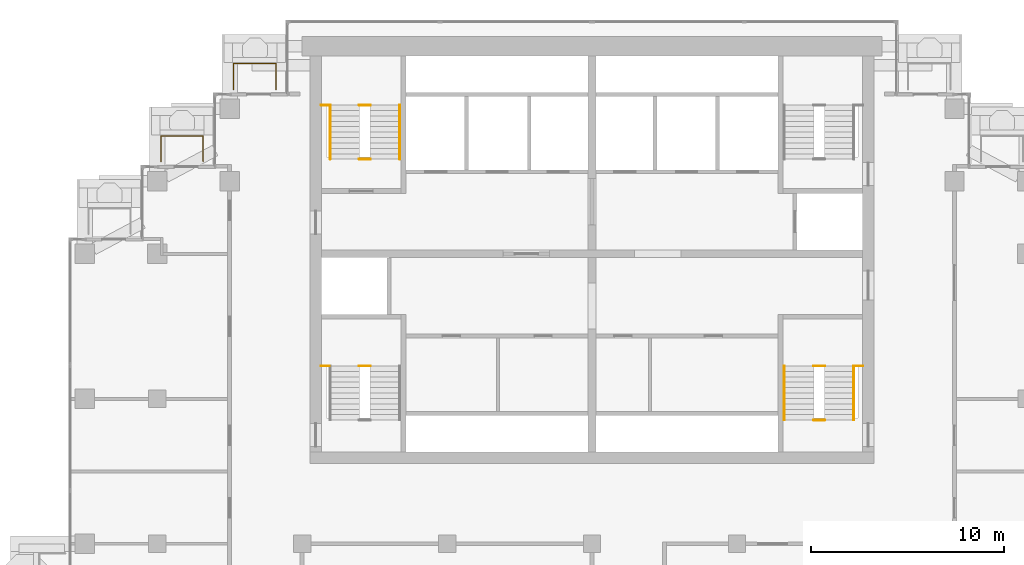
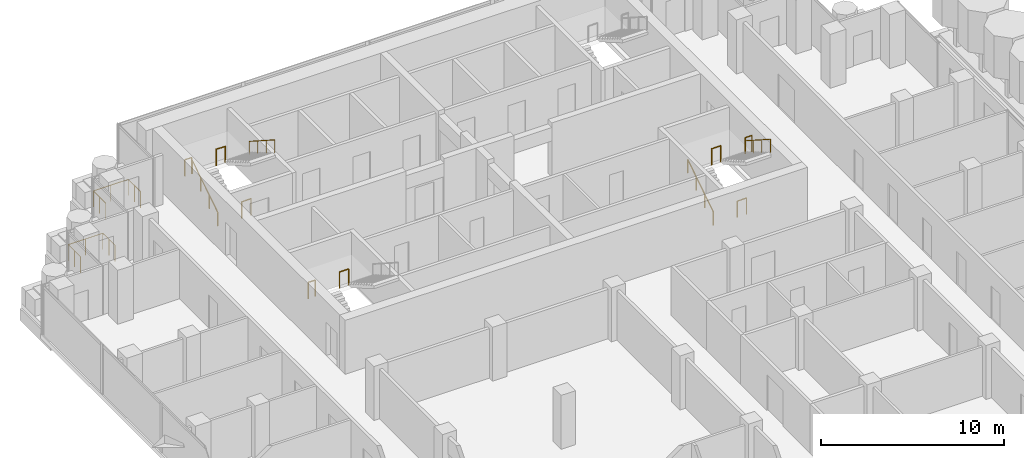
# One storey, part 17 of 19: 14 railings.
"""IFC4 building model written with IfcOpenShell, lengths in metres."""

from ifc_helpers import new_model, si_unit, direction, frame, origin, origin_2d, place, context, subcontext, project, spatial, circle, extrude, material, type_object, element, save


model = new_model("IFC4")

# Units and contexts
model_context = context("Model", 3, precision=1e-05, world=origin(), true_north=direction((0.0, 1.0)))
body_context = subcontext(model_context, "Body", "Model", "MODEL_VIEW")
ifc_project = project(units=[si_unit("LENGTHUNIT", "METRE"), si_unit("AREAUNIT", "SQUARE_METRE"), si_unit("VOLUMEUNIT", "CUBIC_METRE"), si_unit("PLANEANGLEUNIT", "RADIAN"), si_unit("MASSUNIT", "GRAM", prefix="KILO")], contexts=[model_context])

# Site, building, storey
site_placement = place(None, origin())
site = spatial("IfcSite", under=ifc_project, at=site_placement, CompositionType="ELEMENT")
building_placement = place(site_placement, origin())
building = spatial("IfcBuilding", under=site, at=building_placement, Name="Pilkhan Gate Tower", CompositionType="ELEMENT")
storey_placement = place(building_placement, frame((0.0, 0.0, 217.5)))
storey = spatial("IfcBuildingStorey", under=building, at=storey_placement, Name="L56", CompositionType="ELEMENT", Elevation=217.5)

# Railings
ifc_material_1 = material(Name="Pale anodised aluminium posts, laminated glass infill", Category="aluminium")
railing_type_1 = type_object("IfcRailingType", Name="Balcony guard G1", PredefinedType="BALUSTRADE", material=ifc_material_1)
railing_1_placement = place(storey_placement, frame((56.449951171875, 91.0, 0.0)))
element("IfcRailing", 1, at=railing_1_placement, inside=storey, type_object=railing_type_1, Name="Balcony guard L56 N", PredefinedType="BALUSTRADE", context=body_context, shape_type="SweptSolid", body=[
    extrude(circle(Radius=0.02392578125, at=origin_2d()), frame((0.0, 0.0, 1.076171875), z_axis=(0.0, 1.0, 0.0), x_axis=(-1.0, 0.0, 0.0)), (0.0, 0.0, 1.0), 1.35009765625),
    extrude(circle(Radius=0.02392578125, at=origin_2d()), frame((0.0, 1.35009765625, 1.076171875), z_axis=(1.0, 0.0, 0.0), x_axis=(0.0, 1.0, 0.0)), (0.0, 0.0, 1.0), 2.199951171875),
    extrude(circle(Radius=0.02392578125, at=origin_2d()), frame((2.199951171875, 1.35009765625, 1.076171875), z_axis=(0.0, -1.0, 0.0), x_axis=(1.0, 0.0, 0.0)), (0.0, 0.0, 1.0), 1.35009765625),
    extrude(circle(Radius=0.02099609375, at=origin_2d()), origin(), (0.0, 0.0, 1.0), 1.052001953125),
    extrude(circle(Radius=0.02099609375, at=origin_2d()), frame((0.0, 0.675048828125, 0.0)), (0.0, 0.0, 1.0), 1.052001953125),
    extrude(circle(Radius=0.02099609375, at=origin_2d()), frame((0.0, 1.35009765625, 0.0)), (0.0, 0.0, 1.0), 1.052001953125),
    extrude(circle(Radius=0.02099609375, at=origin_2d()), frame((1.10009765625, 1.35009765625, 0.0)), (0.0, 0.0, 1.0), 1.052001953125),
    extrude(circle(Radius=0.02099609375, at=origin_2d()), frame((2.199951171875, 1.35009765625, 0.0)), (0.0, 0.0, 1.0), 1.052001953125),
    extrude(circle(Radius=0.02099609375, at=origin_2d()), frame((2.199951171875, 0.675048828125, 0.0)), (0.0, 0.0, 1.0), 1.052001953125),
    extrude(circle(Radius=0.02099609375, at=origin_2d()), frame((2.199951171875, 0.0, 0.0)), (0.0, 0.0, 1.0), 1.052001953125),
])
railing_2_placement = place(storey_placement, frame((52.699951171875, 87.27001953125, 0.0)))
element("IfcRailing", 2, at=railing_2_placement, inside=storey, type_object=railing_type_1, Name="Balcony guard L56 N", PredefinedType="BALUSTRADE", context=body_context, shape_type="SweptSolid", body=[
    extrude(circle(Radius=0.02392578125, at=origin_2d()), frame((0.0, 0.0, 1.076171875), z_axis=(0.0, 1.0, 0.0), x_axis=(-1.0, 0.0, 0.0)), (0.0, 0.0, 1.0), 1.330078125),
    extrude(circle(Radius=0.02392578125, at=origin_2d()), frame((0.0, 1.330078125, 1.076171875), z_axis=(1.0, 0.0, 0.0), x_axis=(0.0, 1.0, 0.0)), (0.0, 0.0, 1.0), 2.179931640625),
    extrude(circle(Radius=0.02392578125, at=origin_2d()), frame((2.179931640625, 1.330078125, 1.076171875), z_axis=(0.0, -1.0, 0.0), x_axis=(1.0, 0.0, 0.0)), (0.0, 0.0, 1.0), 1.330078125),
    extrude(circle(Radius=0.02099609375, at=origin_2d()), origin(), (0.0, 0.0, 1.0), 1.052001953125),
    extrude(circle(Radius=0.02099609375, at=origin_2d()), frame((0.0, 0.6650390625, 0.0)), (0.0, 0.0, 1.0), 1.052001953125),
    extrude(circle(Radius=0.02099609375, at=origin_2d()), frame((0.0, 1.330078125, 0.0)), (0.0, 0.0, 1.0), 1.052001953125),
    extrude(circle(Radius=0.02099609375, at=origin_2d()), frame((1.08984375, 1.330078125, 0.0)), (0.0, 0.0, 1.0), 1.052001953125),
    extrude(circle(Radius=0.02099609375, at=origin_2d()), frame((2.179931640625, 1.330078125, 0.0)), (0.0, 0.0, 1.0), 1.052001953125),
    extrude(circle(Radius=0.02099609375, at=origin_2d()), frame((2.179931640625, 0.6650390625, 0.0)), (0.0, 0.0, 1.0), 1.052001953125),
    extrude(circle(Radius=0.02099609375, at=origin_2d()), frame((2.179931640625, 0.0, 0.0)), (0.0, 0.0, 1.0), 1.052001953125),
])
ifc_material_2 = material(Name="Black powder-coated steel tube", Category="steel")
railing_type_2 = type_object("IfcRailingType", Name="Stair handrail HR1", PredefinedType="HANDRAIL", material=ifc_material_2)
railing_3_placement = place(storey_placement, frame((84.949951171875, 73.89990234375, 0.0)))
element("IfcRailing", 3, at=railing_3_placement, inside=storey, type_object=railing_type_2, Name="Stair ST1 handrail L56", PredefinedType="HANDRAIL", context=body_context, shape_type="SweptSolid", body=[
    extrude(circle(Radius=0.02392578125, at=origin_2d()), frame((0.0, 0.0, 0.8759765625), z_axis=(0.0, 0.841176092368, 0.540761298198), x_axis=(-1.0, 0.0, 0.0)), (0.0, 0.0, 1.0), 3.32861328125),
    extrude(circle(Radius=0.02099609375, at=origin_2d()), origin(), (0.0, 0.0, 1.0), 0.851806640625),
    extrude(circle(Radius=0.02099609375, at=origin_2d()), frame((0.0, 0.933349609375, 0.60009765625)), (0.0, 0.0, 1.0), 0.851806640625),
    extrude(circle(Radius=0.02099609375, at=origin_2d()), frame((0.0, 1.86669921875, 1.199951171875)), (0.0, 0.0, 1.0), 0.851806640625),
    extrude(circle(Radius=0.02099609375, at=origin_2d()), frame((0.0, 2.800048828125, 1.800048828125)), (0.0, 0.0, 1.0), 0.851806640625),
])
railing_4_placement = place(storey_placement, frame((88.550048828125, 76.699951171875, 1.800048828125)))
element("IfcRailing", 4, at=railing_4_placement, inside=storey, type_object=railing_type_2, Name="Stair ST1 handrail L56", PredefinedType="HANDRAIL", context=body_context, shape_type="SweptSolid", body=[
    extrude(circle(Radius=0.02392578125, at=origin_2d()), frame((0.0, 0.0, 0.8759765625), z_axis=(0.0, -0.841176092368, 0.540761298198), x_axis=(1.0, 0.0, 0.0)), (0.0, 0.0, 1.0), 3.32861328125),
    extrude(circle(Radius=0.02099609375, at=origin_2d()), origin(), (0.0, 0.0, 1.0), 0.851806640625),
    extrude(circle(Radius=0.02099609375, at=origin_2d()), frame((0.0, -0.933349609375, 0.60009765625)), (0.0, 0.0, 1.0), 0.851806640625),
    extrude(circle(Radius=0.02099609375, at=origin_2d()), frame((0.0, -1.86669921875, 1.199951171875)), (0.0, 0.0, 1.0), 0.851806640625),
    extrude(circle(Radius=0.02099609375, at=origin_2d()), frame((0.0, -2.800048828125, 1.800048828125)), (0.0, 0.0, 1.0), 0.851806640625),
])
railing_5_placement = place(storey_placement, frame((61.449951171875, 87.39990234375, 0.0)))
element("IfcRailing", 5, at=railing_5_placement, inside=storey, type_object=railing_type_2, Name="Stair ST3 handrail L56", PredefinedType="HANDRAIL", context=body_context, shape_type="SweptSolid", body=[
    extrude(circle(Radius=0.02392578125, at=origin_2d()), frame((0.0, 0.0, 0.8759765625), z_axis=(0.0, 0.841176092368, 0.540761298198), x_axis=(-1.0, 0.0, 0.0)), (0.0, 0.0, 1.0), 3.32861328125),
    extrude(circle(Radius=0.02099609375, at=origin_2d()), origin(), (0.0, 0.0, 1.0), 0.851806640625),
    extrude(circle(Radius=0.02099609375, at=origin_2d()), frame((0.0, 0.933349609375, 0.60009765625)), (0.0, 0.0, 1.0), 0.851806640625),
    extrude(circle(Radius=0.02099609375, at=origin_2d()), frame((0.0, 1.86669921875, 1.199951171875)), (0.0, 0.0, 1.0), 0.851806640625),
    extrude(circle(Radius=0.02099609375, at=origin_2d()), frame((0.0, 2.800048828125, 1.800048828125)), (0.0, 0.0, 1.0), 0.851806640625),
])
railing_6_placement = place(storey_placement, frame((65.050048828125, 90.199951171875, 1.800048828125)))
element("IfcRailing", 6, at=railing_6_placement, inside=storey, type_object=railing_type_2, Name="Stair ST3 handrail L56", PredefinedType="HANDRAIL", context=body_context, shape_type="SweptSolid", body=[
    extrude(circle(Radius=0.02392578125, at=origin_2d()), frame((0.0, 0.0, 0.8759765625), z_axis=(0.0, -0.841176092368, 0.540761298198), x_axis=(1.0, 0.0, 0.0)), (0.0, 0.0, 1.0), 3.32861328125),
    extrude(circle(Radius=0.02099609375, at=origin_2d()), origin(), (0.0, 0.0, 1.0), 0.851806640625),
    extrude(circle(Radius=0.02099609375, at=origin_2d()), frame((0.0, -0.933349609375, 0.60009765625)), (0.0, 0.0, 1.0), 0.851806640625),
    extrude(circle(Radius=0.02099609375, at=origin_2d()), frame((0.0, -1.86669921875, 1.199951171875)), (0.0, 0.0, 1.0), 0.851806640625),
    extrude(circle(Radius=0.02099609375, at=origin_2d()), frame((0.0, -2.800048828125, 1.800048828125)), (0.0, 0.0, 1.0), 0.851806640625),
])
ifc_material_3 = material(Name="Black powder-coated steel balusters", Category="steel")
railing_type_3 = type_object("IfcRailingType", Name="Stair well guard G3", PredefinedType="GUARDRAIL", material=ifc_material_3)
railing_7_placement = place(storey_placement, frame((88.580078125, 76.699951171875, 1.800048828125)))
element("IfcRailing", 7, at=railing_7_placement, inside=storey, type_object=railing_type_3, Name="Stair ST1 well guard L56", PredefinedType="GUARDRAIL", context=body_context, shape_type="SweptSolid", body=[
    extrude(circle(Radius=0.02392578125, at=origin_2d()), frame((0.0, 0.0, 1.076171875), z_axis=(1.0, 0.0, 0.0), x_axis=(0.0, 1.0, 0.0)), (0.0, 0.0, 1.0), 0.43994140625),
    extrude(circle(Radius=0.02099609375, at=origin_2d()), origin(), (0.0, 0.0, 1.0), 1.052001953125),
    extrude(circle(Radius=0.02099609375, at=origin_2d()), frame((0.43994140625, 0.0, 0.0)), (0.0, 0.0, 1.0), 1.052001953125),
])
for number, where, name in (
    (8, (86.4599609375, 73.89990234375, 0.0), "Stair ST1 well guard L56"),
    (9, (86.4599609375, 76.699951171875, 1.800048828125), "Stair ST1 well guard L56"),
):
    element("IfcRailing", number, at=place(storey_placement, frame(where)), inside=storey, type_object=railing_type_3, Name=name, PredefinedType="GUARDRAIL", context=body_context, shape_type="SweptSolid", body=[
        extrude(circle(Radius=0.02392578125, at=origin_2d()), frame((0.0, 0.0, 1.076171875), z_axis=(1.0, 0.0, 0.0), x_axis=(0.0, 1.0, 0.0)), (0.0, 0.0, 1.0), 0.580078125),
        extrude(circle(Radius=0.02099609375, at=origin_2d()), origin(), (0.0, 0.0, 1.0), 1.052001953125),
        extrude(circle(Radius=0.02099609375, at=origin_2d()), frame((0.580078125, 0.0, 0.0)), (0.0, 0.0, 1.0), 1.052001953125),
    ])
railing_8_placement = place(storey_placement, frame((60.97998046875, 76.699951171875, 1.800048828125)))
element("IfcRailing", 10, at=railing_8_placement, inside=storey, type_object=railing_type_3, Name="Stair ST2 well guard L56", PredefinedType="GUARDRAIL", context=body_context, shape_type="SweptSolid", body=[
    extrude(circle(Radius=0.02392578125, at=origin_2d()), frame((0.0, 0.0, 1.076171875), z_axis=(1.0, 0.0, 0.0), x_axis=(0.0, 1.0, 0.0)), (0.0, 0.0, 1.0), 0.43994140625),
    extrude(circle(Radius=0.02099609375, at=origin_2d()), origin(), (0.0, 0.0, 1.0), 1.052001953125),
    extrude(circle(Radius=0.02099609375, at=origin_2d()), frame((0.43994140625, 0.0, 0.0)), (0.0, 0.0, 1.0), 1.052001953125),
])
railing_9_placement = place(storey_placement, frame((62.9599609375, 76.699951171875, 1.800048828125)))
element("IfcRailing", 11, at=railing_9_placement, inside=storey, type_object=railing_type_3, Name="Stair ST2 well guard L56", PredefinedType="GUARDRAIL", context=body_context, shape_type="SweptSolid", body=[
    extrude(circle(Radius=0.02392578125, at=origin_2d()), frame((0.0, 0.0, 1.076171875), z_axis=(1.0, 0.0, 0.0), x_axis=(0.0, 1.0, 0.0)), (0.0, 0.0, 1.0), 0.580078125),
    extrude(circle(Radius=0.02099609375, at=origin_2d()), origin(), (0.0, 0.0, 1.0), 1.052001953125),
    extrude(circle(Radius=0.02099609375, at=origin_2d()), frame((0.580078125, 0.0, 0.0)), (0.0, 0.0, 1.0), 1.052001953125),
])
railing_10_placement = place(storey_placement, frame((60.97998046875, 90.199951171875, 1.800048828125)))
element("IfcRailing", 12, at=railing_10_placement, inside=storey, type_object=railing_type_3, Name="Stair ST3 well guard L56", PredefinedType="GUARDRAIL", context=body_context, shape_type="SweptSolid", body=[
    extrude(circle(Radius=0.02392578125, at=origin_2d()), frame((0.0, 0.0, 1.076171875), z_axis=(1.0, 0.0, 0.0), x_axis=(0.0, 1.0, 0.0)), (0.0, 0.0, 1.0), 0.43994140625),
    extrude(circle(Radius=0.02099609375, at=origin_2d()), origin(), (0.0, 0.0, 1.0), 1.052001953125),
    extrude(circle(Radius=0.02099609375, at=origin_2d()), frame((0.43994140625, 0.0, 0.0)), (0.0, 0.0, 1.0), 1.052001953125),
])
for number, where, name in (
    (13, (62.9599609375, 87.39990234375, 0.0), "Stair ST3 well guard L56"),
    (14, (62.9599609375, 90.199951171875, 1.800048828125), "Stair ST3 well guard L56"),
):
    element("IfcRailing", number, at=place(storey_placement, frame(where)), inside=storey, type_object=railing_type_3, Name=name, PredefinedType="GUARDRAIL", context=body_context, shape_type="SweptSolid", body=[
        extrude(circle(Radius=0.02392578125, at=origin_2d()), frame((0.0, 0.0, 1.076171875), z_axis=(1.0, 0.0, 0.0), x_axis=(0.0, 1.0, 0.0)), (0.0, 0.0, 1.0), 0.580078125),
        extrude(circle(Radius=0.02099609375, at=origin_2d()), origin(), (0.0, 0.0, 1.0), 1.052001953125),
        extrude(circle(Radius=0.02099609375, at=origin_2d()), frame((0.580078125, 0.0, 0.0)), (0.0, 0.0, 1.0), 1.052001953125),
    ])

save(model, "model.ifc")
